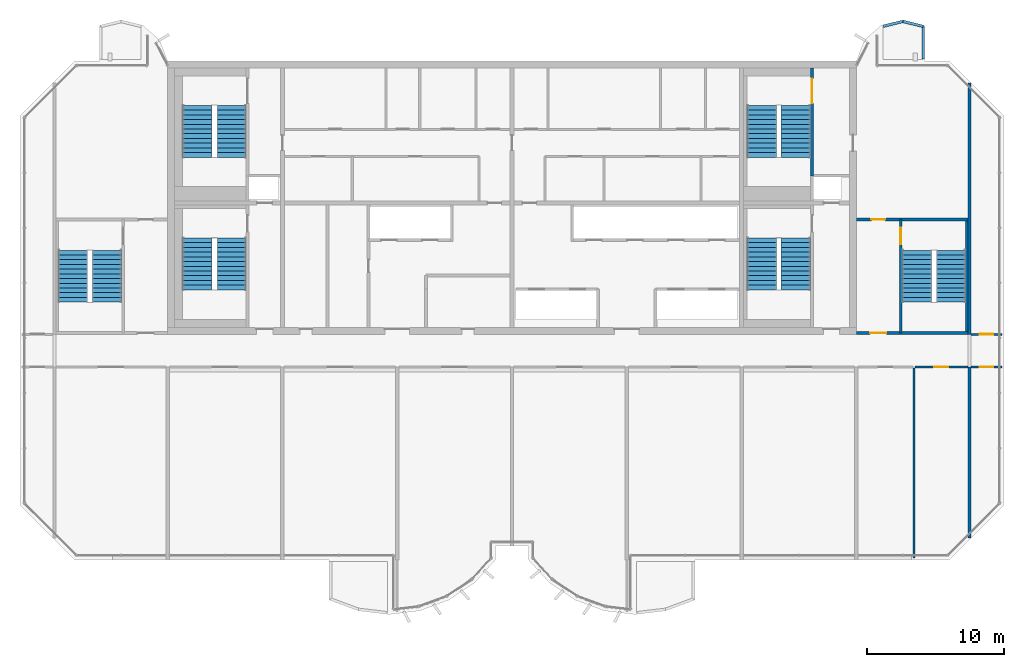
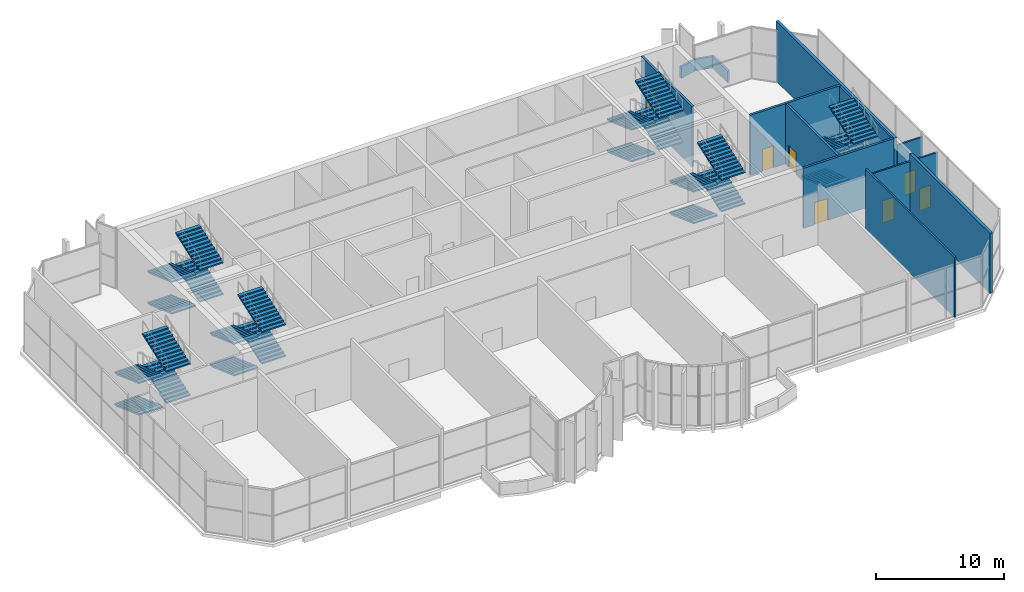
# One storey, part 16 of 17: 24 stair flights, 14 walls, 7 doors, 7 openings, 6 elements without a shape of their own.
"""IFC4 building model written with IfcOpenShell, lengths in metres."""

from ifc_helpers import new_model, si_unit, direction, frame, frame_2d, origin, place, context, subcontext, project, spatial, polyline, rectangle, outline, extrude, source, transform, mapped, material, layer, layer_set, type_object, element, fill, aggregate, save


model = new_model("IFC4")

# Units and contexts
model_context = context("Model", 3, precision=1e-05, world=origin(), true_north=direction((0.0, 1.0)))
body_context = subcontext(model_context, "Body", "Model", "MODEL_VIEW")
ifc_project = project(units=[si_unit("LENGTHUNIT", "METRE"), si_unit("AREAUNIT", "SQUARE_METRE"), si_unit("VOLUMEUNIT", "CUBIC_METRE"), si_unit("PLANEANGLEUNIT", "RADIAN"), si_unit("MASSUNIT", "GRAM", prefix="KILO")], contexts=[model_context])

# Site, building, storey
site_placement = place(None, origin())
site = spatial("IfcSite", under=ifc_project, at=site_placement, CompositionType="ELEMENT")
building_placement = place(site_placement, origin())
building = spatial("IfcBuilding", under=site, at=building_placement, Name="Vanashikhar Sky Hotel", CompositionType="ELEMENT")
storey_placement = place(building_placement, frame((0.0, 0.0, 323.699951171875)))
storey = spatial("IfcBuildingStorey", under=building, at=storey_placement, Name="L77", CompositionType="ELEMENT", Elevation=323.699951171875)

# Walls
ifc_material_1 = material(Name="Concrete M50", Category="concrete")
ifc_layer_1 = layer(ifc_material_1, 0.25)
ifc_layer_set_1 = layer_set([ifc_layer_1], Name="RC shear wall 250 Concrete M50")
wall_type_1 = type_object("IfcWallType", Name="RC shear wall 250 Concrete M50", PredefinedType="SHEAR", material=ifc_layer_set_1)
shared_shape_1 = source(origin(), body_context, "Body", "SweptSolid", [
    extrude(rectangle(XDim=12.5, YDim=0.25, at=frame_2d((6.25, 0.0))), origin(), (0.0, 0.0, 1.0), 5.719970703125),
])
wall_1_placement = place(storey_placement, frame((83.875, 7.10009765625, 0.0), z_axis=(0.0, 0.0, 1.0), x_axis=(0.0, 1.0, 0.0)))
element("IfcWall", 1, at=wall_1_placement, inside=storey, type_object=wall_type_1, Name="CW-L77-XW11-1", PredefinedType="SHEAR", context=body_context, shape_type="MappedRepresentation", body=[
    mapped(shared_shape_1, transform((0.0, 0.0, 0.0), scale=1.0)),
])
shared_shape_2 = source(origin(), body_context, "Body", "SweptSolid", [
    extrude(rectangle(XDim=18.39990234375, YDim=0.25, at=frame_2d((9.199951171875, 0.0))), origin(), (0.0, 0.0, 1.0), 5.719970703125),
])
wall_2_placement = place(storey_placement, frame((83.875, 22.0, 0.0), z_axis=(0.0, 0.0, 1.0), x_axis=(0.0, 1.0, 0.0)))
element("IfcWall", 2, at=wall_2_placement, inside=storey, type_object=wall_type_1, Name="CW-L77-XW11-2", PredefinedType="SHEAR", context=body_context, shape_type="MappedRepresentation", body=[
    mapped(shared_shape_2, transform((0.0, 0.0, 0.0), scale=1.0)),
])
ifc_layer_2 = layer(ifc_material_1, 0.199951171875)
ifc_layer_set_2 = layer_set([ifc_layer_2], Name="Parapet 200")
wall_type_2 = type_object("IfcWallType", Name="Parapet 200", PredefinedType="PARAPET", material=ifc_layer_set_2)
shared_shape_3 = source(origin(), body_context, "Body", "SweptSolid", [
    extrude(rectangle(XDim=2.3896484375, YDim=0.199951171875, at=frame_2d((1.19482421875, 0.0))), origin(), (0.0, 0.0, 1.0), 1.10009765625),
])
wall_3_placement = place(storey_placement, frame((80.486083984375, 44.529541015625, -0.050048828125), z_axis=(0.0, 0.0, 1.0), x_axis=(0.0, -1.0, 0.0)))
element("IfcWall", 3, at=wall_3_placement, inside=storey, type_object=wall_type_2, Name="Roof parapet", PredefinedType="PARAPET", context=body_context, shape_type="MappedRepresentation", body=[
    mapped(shared_shape_3, transform((0.0, 0.0, 0.0), scale=1.0)),
])
shared_shape_4 = source(origin(), body_context, "Body", "SweptSolid", [
    extrude(rectangle(XDim=1.5302734375, YDim=0.199951171875, at=frame_2d((0.76513671875, 0.0))), origin(), (0.0, 0.0, 1.0), 1.10009765625),
])
wall_4_placement = place(storey_placement, frame((79.0, 44.89501953125, -0.050048828125), z_axis=(0.0, 0.0, 1.0), x_axis=(0.971064415522, -0.238817714808, 0.0)))
element("IfcWall", 4, at=wall_4_placement, inside=storey, type_object=wall_type_2, Name="Roof parapet", PredefinedType="PARAPET", context=body_context, shape_type="MappedRepresentation", body=[
    mapped(shared_shape_4, transform((0.0, 0.0, 0.0), scale=1.0)),
])
shared_shape_5 = source(origin(), body_context, "Body", "SweptSolid", [
    extrude(rectangle(XDim=1.4912109375, YDim=0.199951171875, at=frame_2d((0.74560546875, 0.0))), origin(), (0.0, 0.0, 1.0), 1.10009765625),
])
wall_5_placement = place(storey_placement, frame((77.552001953125, 44.5390625, -0.050048828125), z_axis=(0.0, 0.0, 1.0), x_axis=(0.971088495324, 0.238719781855, 0.0)))
element("IfcWall", 5, at=wall_5_placement, inside=storey, type_object=wall_type_2, Name="Roof parapet", PredefinedType="PARAPET", context=body_context, shape_type="MappedRepresentation", body=[
    mapped(shared_shape_5, transform((0.0, 0.0, 0.0), scale=1.0)),
])

# Wall, opening, door
ifc_layer_3 = layer(ifc_material_1, 0.199951171875)
ifc_layer_set_3 = layer_set([ifc_layer_3], Name="Stair wall 200")
wall_type_3 = type_object("IfcWallType", Name="Stair wall 200", PredefinedType="SOLIDWALL", material=ifc_layer_set_3)
shared_shape_6 = source(origin(), body_context, "Body", "SweptSolid", [
    extrude(rectangle(XDim=8.2998046875, YDim=0.199951171875, at=frame_2d((4.14990234375, 0.0))), origin(), (0.0, 0.0, 1.0), 5.719970703125),
])
wall_6_placement = place(storey_placement, frame((78.85009765625, 22.10009765625, 0.0), z_axis=(0.0, 0.0, 1.0), x_axis=(0.0, 1.0, 0.0)))
wall_6 = element("IfcWall", 6, at=wall_6_placement, inside=storey, type_object=wall_type_3, Name="Stair wall 200", PredefinedType="SOLIDWALL", context=body_context, shape_type="MappedRepresentation", body=[
    mapped(shared_shape_6, transform((0.0, 0.0, 0.0), scale=1.0)),
])
shared_shape_7 = source(origin(), body_context, "Body", "SweptSolid", [
    extrude(rectangle(XDim=1.199951171875, YDim=2.10009765625, at=frame_2d((0.60009765625, 1.050048828125))), frame((0.0, 0.10986328125, 0.0), z_axis=(0.0, -1.0, 0.0), x_axis=(1.0, 0.0, 0.0)), (0.0, 0.0, 1.0), 0.219970703125),
])
opening_1_placement = place(wall_6_placement, frame((6.5, 0.0, 0.0)))
opening_1 = element("IfcOpeningElement", 7, at=opening_1_placement, cuts=wall_6, Name="Opening DC-1", PredefinedType="OPENING", context=body_context, shape_type="MappedRepresentation", body=[
    mapped(shared_shape_7, transform((0.0, 0.0, 0.0), scale=1.0)),
])
ifc_material_2 = material(Name="Steel", Category="steel")
door_type_1 = type_object("IfcDoorType", Name="Stair door 1200 FD120", OperationType="NOTDEFINED", PredefinedType="DOOR", material=ifc_material_2)
shared_shape_8 = source(origin(), body_context, "Body", "SweptSolid", [
    extrude(rectangle(XDim=1.199951171875, YDim=2.10009765625, at=frame_2d((0.60009765625, 1.050048828125))), frame((0.0, 0.02490234375, 0.0), z_axis=(0.0, -1.0, 0.0), x_axis=(1.0, 0.0, 0.0)), (0.0, 0.0, 1.0), 0.050048828125),
])
door_1_placement = place(opening_1_placement, origin())
door_1 = element("IfcDoor", 8, at=door_1_placement, inside=storey, type_object=door_type_1, Name="Stair door 1200 FD120", OperationType="SINGLE_SWING_LEFT", OverallHeight=2.10009765625, OverallWidth=1.199951171875, PredefinedType="DOOR", context=body_context, shape_type="MappedRepresentation", body=[
    mapped(shared_shape_8, transform((0.0, 0.0, 0.0), scale=1.0)),
])
fill(opening_1, door_1)

shared_shape_9 = source(origin(), body_context, "Body", "SweptSolid", [
    extrude(rectangle(XDim=7.89990234375, YDim=0.199951171875, at=frame_2d((3.949951171875, 0.0))), origin(), (0.0, 0.0, 1.0), 5.719970703125),
])
wall_7_placement = place(storey_placement, frame((72.35009765625, 33.60009765625, 0.0), z_axis=(0.0, 0.0, 1.0), x_axis=(0.0, 1.0, 0.0)))
wall_7 = element("IfcWall", 9, at=wall_7_placement, inside=storey, type_object=wall_type_3, Name="Stair wall 200", PredefinedType="SOLIDWALL", context=body_context, shape_type="MappedRepresentation", body=[
    mapped(shared_shape_9, transform((0.0, 0.0, 0.0), scale=1.0)),
])
shared_shape_10 = source(origin(), body_context, "Body", "SweptSolid", [
    extrude(rectangle(XDim=1.800048828125, YDim=2.10009765625, at=frame_2d((0.89990234375, 1.050048828125))), frame((0.0, 0.10986328125, 0.0), z_axis=(0.0, -1.0, 0.0), x_axis=(1.0, 0.0, 0.0)), (0.0, 0.0, 1.0), 0.219970703125),
])
opening_2_placement = place(wall_7_placement, frame((5.300048828125, 0.0, 0.0)))
opening_2 = element("IfcOpeningElement", 10, at=opening_2_placement, cuts=wall_7, Name="Opening DC-1-A", PredefinedType="OPENING", context=body_context, shape_type="MappedRepresentation", body=[
    mapped(shared_shape_10, transform((0.0, 0.0, 0.0), scale=1.0)),
])
door_type_2 = type_object("IfcDoorType", Name="Stair door 1800 FD120", OperationType="NOTDEFINED", PredefinedType="DOOR", material=ifc_material_2)
shared_shape_11 = source(origin(), body_context, "Body", "SweptSolid", [
    extrude(rectangle(XDim=1.800048828125, YDim=2.10009765625, at=frame_2d((0.89990234375, 1.050048828125))), frame((0.0, 0.02490234375, 0.0), z_axis=(0.0, -1.0, 0.0), x_axis=(1.0, 0.0, 0.0)), (0.0, 0.0, 1.0), 0.050048828125),
])
door_2_placement = place(opening_2_placement, origin())
door_2 = element("IfcDoor", 11, at=door_2_placement, inside=storey, type_object=door_type_2, Name="Stair door 1800 FD120", OperationType="SINGLE_SWING_RIGHT", OverallHeight=2.10009765625, OverallWidth=1.800048828125, PredefinedType="DOOR", context=body_context, shape_type="MappedRepresentation", body=[
    mapped(shared_shape_11, transform((0.0, 0.0, 0.0), scale=1.0)),
])
fill(opening_2, door_2)

shared_shape_12 = source(origin(), body_context, "Body", "SweptSolid", [
    extrude(rectangle(XDim=8.14990234375, YDim=0.199951171875, at=frame_2d((4.074951171875, 0.0))), origin(), (0.0, 0.0, 1.0), 5.719970703125),
])
wall_8_placement = place(storey_placement, frame((83.75, 22.10009765625, 0.0), z_axis=(0.0, 0.0, 1.0), x_axis=(-1.0, 0.0, 0.0)))
wall_8 = element("IfcWall", 12, at=wall_8_placement, inside=storey, type_object=wall_type_3, Name="Stair wall 200", PredefinedType="SOLIDWALL", context=body_context, shape_type="MappedRepresentation", body=[
    mapped(shared_shape_12, transform((0.0, 0.0, 0.0), scale=1.0)),
])
opening_3_placement = place(wall_8_placement, frame((5.949951171875, 0.0, 0.0)))
opening_3 = element("IfcOpeningElement", 13, at=opening_3_placement, cuts=wall_8, Name="Opening DC-2", PredefinedType="OPENING", context=body_context, shape_type="MappedRepresentation", body=[
    mapped(shared_shape_7, transform((0.0, 0.0, 0.0), scale=1.0)),
])
door_type_3 = type_object("IfcDoorType", Name="Firefighting lobby door 1200 FD120", OperationType="NOTDEFINED", PredefinedType="DOOR", material=ifc_material_2)
door_3_placement = place(opening_3_placement, origin())
door_3 = element("IfcDoor", 14, at=door_3_placement, inside=storey, type_object=door_type_3, Name="Firefighting lobby door 1200 FD120", OperationType="SINGLE_SWING_LEFT", OverallHeight=2.10009765625, OverallWidth=1.199951171875, PredefinedType="DOOR", context=body_context, shape_type="MappedRepresentation", body=[
    mapped(shared_shape_8, transform((0.0, 0.0, 0.0), scale=1.0)),
])
fill(opening_3, door_3)

wall_9_placement = place(storey_placement, frame((83.75, 30.39990234375, 0.0), z_axis=(0.0, 0.0, 1.0), x_axis=(-1.0, 0.0, 0.0)))
wall_9 = element("IfcWall", 15, at=wall_9_placement, inside=storey, type_object=wall_type_3, Name="Stair wall 200", PredefinedType="SOLIDWALL", context=body_context, shape_type="MappedRepresentation", body=[
    mapped(shared_shape_12, transform((0.0, 0.0, 0.0), scale=1.0)),
])
shared_shape_13 = source(origin(), body_context, "Body", "SweptSolid", [
    extrude(rectangle(XDim=1.0, YDim=2.10009765625, at=frame_2d((0.5, 1.050048828125))), frame((0.0, 0.10986328125, 0.0), z_axis=(0.0, -1.0, 0.0), x_axis=(1.0, 0.0, 0.0)), (0.0, 0.0, 1.0), 0.219970703125),
])
opening_4_placement = place(wall_9_placement, frame((6.050048828125, 0.0, 0.0)))
opening_4 = element("IfcOpeningElement", 16, at=opening_4_placement, cuts=wall_9, Name="Opening DC-6", PredefinedType="OPENING", context=body_context, shape_type="MappedRepresentation", body=[
    mapped(shared_shape_13, transform((0.0, 0.0, 0.0), scale=1.0)),
])
door_type_4 = type_object("IfcDoorType", Name="Pocket door 1000 FD60", OperationType="NOTDEFINED", PredefinedType="DOOR", material=ifc_material_2)
shared_shape_14 = source(origin(), body_context, "Body", "SweptSolid", [
    extrude(rectangle(XDim=1.0, YDim=2.10009765625, at=frame_2d((0.5, 1.050048828125))), frame((0.0, 0.02490234375, 0.0), z_axis=(0.0, -1.0, 0.0), x_axis=(1.0, 0.0, 0.0)), (0.0, 0.0, 1.0), 0.050048828125),
])
door_4_placement = place(opening_4_placement, origin())
door_4 = element("IfcDoor", 17, at=door_4_placement, inside=storey, type_object=door_type_4, Name="Pocket door 1000 FD60", OperationType="SINGLE_SWING_LEFT", OverallHeight=2.10009765625, OverallWidth=1.0, PredefinedType="DOOR", context=body_context, shape_type="MappedRepresentation", body=[
    mapped(shared_shape_14, transform((0.0, 0.0, 0.0), scale=1.0)),
])
fill(opening_4, door_4)

# Wall
ifc_layer_4 = layer(ifc_material_1, 0.14990234375)
ifc_layer_set_4 = layer_set([ifc_layer_4], Name="Stair infill wall 150")
wall_type_4 = type_object("IfcWallType", Name="Stair infill wall 150", PredefinedType="SOLIDWALL", material=ifc_layer_set_4)
shared_shape_15 = source(origin(), body_context, "Body", "SweptSolid", [
    extrude(rectangle(XDim=8.10009765625, YDim=0.14990234375, at=frame_2d((4.050048828125, 0.0))), origin(), (0.0, 0.0, 1.0), 5.719970703125),
])
wall_10_placement = place(storey_placement, frame((83.675048828125, 22.199951171875, 0.0), z_axis=(0.0, 0.0, 1.0), x_axis=(0.0, 1.0, 0.0)))
element("IfcWall", 18, at=wall_10_placement, inside=storey, type_object=wall_type_4, Name="Stair infill wall 150", PredefinedType="SOLIDWALL", context=body_context, shape_type="MappedRepresentation", body=[
    mapped(shared_shape_15, transform((0.0, 0.0, 0.0), scale=1.0)),
])

# Wall, opening, door
ifc_material_3 = material(Name="Gypsum plasterboard partition")
ifc_layer_5 = layer(ifc_material_3, 0.14990234375)
ifc_layer_set_5 = layer_set([ifc_layer_5], Name="Corridor and demising partition 150")
wall_type_5 = type_object("IfcWallType", Name="Corridor and demising partition 150", PredefinedType="PARTITIONING", material=ifc_layer_set_5)
shared_shape_16 = source(origin(), body_context, "Body", "SweptSolid", [
    extrude(rectangle(XDim=3.875, YDim=0.14990234375, at=frame_2d((1.9375, 0.0))), origin(), (0.0, 0.0, 1.0), 5.02001953125),
])
wall_11_placement = place(storey_placement, frame((79.875, 19.60009765625, 0.0), z_axis=(0.0, 0.0, 1.0), x_axis=(1.0, 0.0, 0.0)))
wall_11 = element("IfcWall", 19, at=wall_11_placement, inside=storey, type_object=wall_type_5, Name="W-L77-PW009", PredefinedType="PARTITIONING", context=body_context, shape_type="MappedRepresentation", body=[
    mapped(shared_shape_16, transform((0.0, 0.0, 0.0), scale=1.0)),
])
shared_shape_17 = source(origin(), body_context, "Body", "SweptSolid", [
    extrude(rectangle(XDim=1.0, YDim=2.10009765625, at=frame_2d((0.5, 1.050048828125))), frame((0.0, 0.0849609375, 0.0), z_axis=(0.0, -1.0, 0.0), x_axis=(1.0, 0.0, 0.0)), (0.0, 0.0, 1.0), 0.169921875),
])
opening_5_placement = place(wall_11_placement, frame((1.43798828125, 0.0, 0.0)))
opening_5 = element("IfcOpeningElement", 20, at=opening_5_placement, cuts=wall_11, Name="Opening D-01", PredefinedType="OPENING", context=body_context, shape_type="MappedRepresentation", body=[
    mapped(shared_shape_17, transform((0.0, 0.0, 0.0), scale=1.0)),
])
ifc_material_4 = material(Name="Timber fire door", Category="wood")
door_type_5 = type_object("IfcDoorType", Name="Guest entry door 1000 FD30S", OperationType="NOTDEFINED", PredefinedType="DOOR", material=ifc_material_4)
door_5_placement = place(opening_5_placement, origin())
door_5 = element("IfcDoor", 21, at=door_5_placement, inside=storey, type_object=door_type_5, Name="D-L77-009", OperationType="SINGLE_SWING_RIGHT", OverallHeight=2.10009765625, OverallWidth=1.0, PredefinedType="DOOR", context=body_context, shape_type="MappedRepresentation", body=[
    mapped(shared_shape_14, transform((0.0, 0.0, 0.0), scale=1.0)),
])
fill(opening_5, door_5)

# Wall
shared_shape_18 = source(origin(), body_context, "Body", "SweptSolid", [
    extrude(rectangle(XDim=13.875, YDim=0.14990234375, at=frame_2d((6.9375, 0.0))), origin(), (0.0, 0.0, 1.0), 5.719970703125),
])
wall_12_placement = place(storey_placement, frame((79.800048828125, 5.64990234375, 0.0), z_axis=(0.0, 0.0, 1.0), x_axis=(0.0, 1.0, 0.0)))
element("IfcWall", 22, at=wall_12_placement, inside=storey, type_object=wall_type_5, Name="W-L77-PW010", PredefinedType="PARTITIONING", context=body_context, shape_type="MappedRepresentation", body=[
    mapped(shared_shape_18, transform((0.0, 0.0, 0.0), scale=1.0)),
])

# Wall, opening, door
shared_shape_19 = source(origin(), body_context, "Body", "SweptSolid", [
    extrude(rectangle(XDim=2.25, YDim=0.14990234375, at=frame_2d((1.125, 0.0))), origin(), (0.0, 0.0, 1.0), 5.02001953125),
])
wall_13_placement = place(storey_placement, frame((84.0, 22.0, 0.0), z_axis=(0.0, 0.0, 1.0), x_axis=(1.0, 0.0, 0.0)))
wall_13 = element("IfcWall", 23, at=wall_13_placement, inside=storey, type_object=wall_type_5, Name="W-L77-PW014", PredefinedType="PARTITIONING", context=body_context, shape_type="MappedRepresentation", body=[
    mapped(shared_shape_19, transform((0.0, 0.0, 0.0), scale=1.0)),
])
opening_6_placement = place(wall_13_placement, frame((0.625, 0.0, 0.0)))
opening_6 = element("IfcOpeningElement", 24, at=opening_6_placement, cuts=wall_13, Name="Opening D-01", PredefinedType="OPENING", context=body_context, shape_type="MappedRepresentation", body=[
    mapped(shared_shape_17, transform((0.0, 0.0, 0.0), scale=1.0)),
])
door_6_placement = place(opening_6_placement, origin())
door_6 = element("IfcDoor", 25, at=door_6_placement, inside=storey, type_object=door_type_5, Name="D-L77-011", OperationType="SINGLE_SWING_RIGHT", OverallHeight=2.10009765625, OverallWidth=1.0, PredefinedType="DOOR", context=body_context, shape_type="MappedRepresentation", body=[
    mapped(shared_shape_14, transform((0.0, 0.0, 0.0), scale=1.0)),
])
fill(opening_6, door_6)

wall_14_placement = place(storey_placement, frame((84.0, 19.60009765625, 0.0), z_axis=(0.0, 0.0, 1.0), x_axis=(1.0, 0.0, 0.0)))
wall_14 = element("IfcWall", 26, at=wall_14_placement, inside=storey, type_object=wall_type_5, Name="W-L77-PW016", PredefinedType="PARTITIONING", context=body_context, shape_type="MappedRepresentation", body=[
    mapped(shared_shape_19, transform((0.0, 0.0, 0.0), scale=1.0)),
])
opening_7_placement = place(wall_14_placement, frame((0.625, 0.0, 0.0)))
opening_7 = element("IfcOpeningElement", 27, at=opening_7_placement, cuts=wall_14, Name="Opening D-01", PredefinedType="OPENING", context=body_context, shape_type="MappedRepresentation", body=[
    mapped(shared_shape_17, transform((0.0, 0.0, 0.0), scale=1.0)),
])
door_7_placement = place(opening_7_placement, origin())
door_7 = element("IfcDoor", 28, at=door_7_placement, inside=storey, type_object=door_type_5, Name="D-L77-013", OperationType="SINGLE_SWING_RIGHT", OverallHeight=2.10009765625, OverallWidth=1.0, PredefinedType="DOOR", context=body_context, shape_type="MappedRepresentation", body=[
    mapped(shared_shape_14, transform((0.0, 0.0, 0.0), scale=1.0)),
])
fill(opening_7, door_7)

# Stair, stair flights
ifc_material_5 = material(Name="Concrete M40", Category="concrete")
stair_type = type_object("IfcStairType", Name="Exit stair 2150", PredefinedType="DOUBLE_RETURN_STAIR", material=ifc_material_5)
stair_1_placement = place(storey_placement, origin())
stair_1 = element("IfcStair", 29, at=stair_1_placement, inside=storey, type_object=stair_type, Name="L77 Exit stair 1", PredefinedType="DOUBLE_RETURN_STAIR")
stair_flight_type = type_object("IfcStairFlightType", Name="Stair flight 2150", PredefinedType="STRAIGHT", material=ifc_material_5)
shared_shape_20 = source(origin(), body_context, "Body", "SweptSolid", [
    extrude(outline(polyline([(0.0, 0.0), (0.0, 0.125), (0.345458984375, 0.125), (0.345458984375, 0.25), (0.69091796875, 0.25), (0.69091796875, 0.375), (1.036376953125, 0.375), (1.036376953125, 0.5), (1.3818359375, 0.5), (1.3818359375, 0.625), (1.727294921875, 0.625), (1.727294921875, 0.75), (2.07275390625, 0.75), (2.07275390625, 0.875), (2.418212890625, 0.875), (2.418212890625, 1.0), (2.763671875, 1.0), (2.763671875, 1.125), (3.109130859375, 1.125), (3.109130859375, 1.25), (3.45458984375, 1.25), (3.45458984375, 1.375), (3.800048828125, 1.375), (3.800048828125, 1.5), (3.800048828125, 1.247314453125), (0.35302734375, 0.0), (0.0, 0.0)])), frame((0.0, 1.074951171875, 0.0), z_axis=(0.0, -1.0, 0.0), x_axis=(1.0, 0.0, 0.0)), (0.0, 0.0, 1.0), 2.14990234375),
])
stair_flight_1_placement = place(storey_placement, frame((27.375, 29.050048828125, 0.0), z_axis=(0.0, 0.0, 1.0), x_axis=(0.0, -1.0, 0.0)))
stair_flight_1 = element("IfcStairFlight", 30, at=stair_flight_1_placement, type_object=stair_flight_type, Name="ST-C1 flight 1", NumberOfRisers=12, NumberOfTreads=11, PredefinedType="STRAIGHT", RiserHeight=0.125, TreadLength=0.345454545, context=body_context, shape_type="MappedRepresentation", body=[
    mapped(shared_shape_20, transform((0.0, 0.0, 0.0), scale=1.0)),
])
stair_flight_2_placement = place(storey_placement, frame((29.875, 25.25, 1.5), z_axis=(0.0, 0.0, 1.0), x_axis=(0.0, 1.0, 0.0)))
stair_flight_2 = element("IfcStairFlight", 31, at=stair_flight_2_placement, type_object=stair_flight_type, Name="ST-C1 flight 2", NumberOfRisers=12, NumberOfTreads=11, PredefinedType="STRAIGHT", RiserHeight=0.125, TreadLength=0.345454545, context=body_context, shape_type="MappedRepresentation", body=[
    mapped(shared_shape_20, transform((0.0, 0.0, 0.0), scale=1.0)),
])
stair_flight_3_placement = place(storey_placement, frame((27.375, 29.050048828125, 3.0), z_axis=(0.0, 0.0, 1.0), x_axis=(0.0, -1.0, 0.0)))
stair_flight_3 = element("IfcStairFlight", 32, at=stair_flight_3_placement, type_object=stair_flight_type, Name="ST-C1 flight 3", NumberOfRisers=12, NumberOfTreads=11, PredefinedType="STRAIGHT", RiserHeight=0.125, TreadLength=0.345454545, context=body_context, shape_type="MappedRepresentation", body=[
    mapped(shared_shape_20, transform((0.0, 0.0, 0.0), scale=1.0)),
])
stair_flight_4_placement = place(storey_placement, frame((29.875, 25.25, 4.5), z_axis=(0.0, 0.0, 1.0), x_axis=(0.0, 1.0, 0.0)))
stair_flight_4 = element("IfcStairFlight", 33, at=stair_flight_4_placement, type_object=stair_flight_type, Name="ST-C1 flight 4", NumberOfRisers=12, NumberOfTreads=11, PredefinedType="STRAIGHT", RiserHeight=0.125, TreadLength=0.345454545, context=body_context, shape_type="MappedRepresentation", body=[
    mapped(shared_shape_20, transform((0.0, 0.0, 0.0), scale=1.0)),
])
aggregate(stair_1, [stair_flight_1, stair_flight_2, stair_flight_3, stair_flight_4])

stair_2_placement = place(storey_placement, origin())
stair_2 = element("IfcStair", 34, at=stair_2_placement, inside=storey, type_object=stair_type, Name="L77 Exit stair 2", PredefinedType="DOUBLE_RETURN_STAIR")
stair_flight_5_placement = place(storey_placement, frame((68.675048828125, 29.050048828125, 0.0), z_axis=(0.0, 0.0, 1.0), x_axis=(0.0, -1.0, 0.0)))
stair_flight_5 = element("IfcStairFlight", 35, at=stair_flight_5_placement, type_object=stair_flight_type, Name="ST-C2 flight 1", NumberOfRisers=12, NumberOfTreads=11, PredefinedType="STRAIGHT", RiserHeight=0.125, TreadLength=0.345454545, context=body_context, shape_type="MappedRepresentation", body=[
    mapped(shared_shape_20, transform((0.0, 0.0, 0.0), scale=1.0)),
])
stair_flight_6_placement = place(storey_placement, frame((71.175048828125, 25.25, 1.5), z_axis=(0.0, 0.0, 1.0), x_axis=(0.0, 1.0, 0.0)))
stair_flight_6 = element("IfcStairFlight", 36, at=stair_flight_6_placement, type_object=stair_flight_type, Name="ST-C2 flight 2", NumberOfRisers=12, NumberOfTreads=11, PredefinedType="STRAIGHT", RiserHeight=0.125, TreadLength=0.345454545, context=body_context, shape_type="MappedRepresentation", body=[
    mapped(shared_shape_20, transform((0.0, 0.0, 0.0), scale=1.0)),
])
stair_flight_7_placement = place(storey_placement, frame((68.675048828125, 29.050048828125, 3.0), z_axis=(0.0, 0.0, 1.0), x_axis=(0.0, -1.0, 0.0)))
stair_flight_7 = element("IfcStairFlight", 37, at=stair_flight_7_placement, type_object=stair_flight_type, Name="ST-C2 flight 3", NumberOfRisers=12, NumberOfTreads=11, PredefinedType="STRAIGHT", RiserHeight=0.125, TreadLength=0.345454545, context=body_context, shape_type="MappedRepresentation", body=[
    mapped(shared_shape_20, transform((0.0, 0.0, 0.0), scale=1.0)),
])
stair_flight_8_placement = place(storey_placement, frame((71.175048828125, 25.25, 4.5), z_axis=(0.0, 0.0, 1.0), x_axis=(0.0, 1.0, 0.0)))
stair_flight_8 = element("IfcStairFlight", 38, at=stair_flight_8_placement, type_object=stair_flight_type, Name="ST-C2 flight 4", NumberOfRisers=12, NumberOfTreads=11, PredefinedType="STRAIGHT", RiserHeight=0.125, TreadLength=0.345454545, context=body_context, shape_type="MappedRepresentation", body=[
    mapped(shared_shape_20, transform((0.0, 0.0, 0.0), scale=1.0)),
])
aggregate(stair_2, [stair_flight_5, stair_flight_6, stair_flight_7, stair_flight_8])

stair_3_placement = place(storey_placement, origin())
stair_3 = element("IfcStair", 39, at=stair_3_placement, inside=storey, type_object=stair_type, Name="L77 Exit stair 3", PredefinedType="DOUBLE_RETURN_STAIR")
stair_flight_9_placement = place(storey_placement, frame((18.27490234375, 28.14990234375, 0.0), z_axis=(0.0, 0.0, 1.0), x_axis=(0.0, -1.0, 0.0)))
stair_flight_9 = element("IfcStairFlight", 40, at=stair_flight_9_placement, type_object=stair_flight_type, Name="ST-W flight 1", NumberOfRisers=12, NumberOfTreads=11, PredefinedType="STRAIGHT", RiserHeight=0.125, TreadLength=0.345454545, context=body_context, shape_type="MappedRepresentation", body=[
    mapped(shared_shape_20, transform((0.0, 0.0, 0.0), scale=1.0)),
])
stair_flight_10_placement = place(storey_placement, frame((20.77490234375, 24.35009765625, 1.5), z_axis=(0.0, 0.0, 1.0), x_axis=(0.0, 1.0, 0.0)))
stair_flight_10 = element("IfcStairFlight", 41, at=stair_flight_10_placement, type_object=stair_flight_type, Name="ST-W flight 2", NumberOfRisers=12, NumberOfTreads=11, PredefinedType="STRAIGHT", RiserHeight=0.125, TreadLength=0.345454545, context=body_context, shape_type="MappedRepresentation", body=[
    mapped(shared_shape_20, transform((0.0, 0.0, 0.0), scale=1.0)),
])
stair_flight_11_placement = place(storey_placement, frame((18.27490234375, 28.14990234375, 3.0), z_axis=(0.0, 0.0, 1.0), x_axis=(0.0, -1.0, 0.0)))
stair_flight_11 = element("IfcStairFlight", 42, at=stair_flight_11_placement, type_object=stair_flight_type, Name="ST-W flight 3", NumberOfRisers=12, NumberOfTreads=11, PredefinedType="STRAIGHT", RiserHeight=0.125, TreadLength=0.345454545, context=body_context, shape_type="MappedRepresentation", body=[
    mapped(shared_shape_20, transform((0.0, 0.0, 0.0), scale=1.0)),
])
stair_flight_12_placement = place(storey_placement, frame((20.77490234375, 24.35009765625, 4.5), z_axis=(0.0, 0.0, 1.0), x_axis=(0.0, 1.0, 0.0)))
stair_flight_12 = element("IfcStairFlight", 43, at=stair_flight_12_placement, type_object=stair_flight_type, Name="ST-W flight 4", NumberOfRisers=12, NumberOfTreads=11, PredefinedType="STRAIGHT", RiserHeight=0.125, TreadLength=0.345454545, context=body_context, shape_type="MappedRepresentation", body=[
    mapped(shared_shape_20, transform((0.0, 0.0, 0.0), scale=1.0)),
])
aggregate(stair_3, [stair_flight_9, stair_flight_10, stair_flight_11, stair_flight_12])

stair_4_placement = place(storey_placement, origin())
stair_4 = element("IfcStair", 44, at=stair_4_placement, inside=storey, type_object=stair_type, Name="L77 Exit stair 4", PredefinedType="DOUBLE_RETURN_STAIR")
stair_flight_13_placement = place(storey_placement, frame((80.02490234375, 28.14990234375, 0.0), z_axis=(0.0, 0.0, 1.0), x_axis=(0.0, -1.0, 0.0)))
stair_flight_13 = element("IfcStairFlight", 45, at=stair_flight_13_placement, type_object=stair_flight_type, Name="ST-E flight 1", NumberOfRisers=12, NumberOfTreads=11, PredefinedType="STRAIGHT", RiserHeight=0.125, TreadLength=0.345454545, context=body_context, shape_type="MappedRepresentation", body=[
    mapped(shared_shape_20, transform((0.0, 0.0, 0.0), scale=1.0)),
])
stair_flight_14_placement = place(storey_placement, frame((82.52490234375, 24.35009765625, 1.5), z_axis=(0.0, 0.0, 1.0), x_axis=(0.0, 1.0, 0.0)))
stair_flight_14 = element("IfcStairFlight", 46, at=stair_flight_14_placement, type_object=stair_flight_type, Name="ST-E flight 2", NumberOfRisers=12, NumberOfTreads=11, PredefinedType="STRAIGHT", RiserHeight=0.125, TreadLength=0.345454545, context=body_context, shape_type="MappedRepresentation", body=[
    mapped(shared_shape_20, transform((0.0, 0.0, 0.0), scale=1.0)),
])
stair_flight_15_placement = place(storey_placement, frame((80.02490234375, 28.14990234375, 3.0), z_axis=(0.0, 0.0, 1.0), x_axis=(0.0, -1.0, 0.0)))
stair_flight_15 = element("IfcStairFlight", 47, at=stair_flight_15_placement, type_object=stair_flight_type, Name="ST-E flight 3", NumberOfRisers=12, NumberOfTreads=11, PredefinedType="STRAIGHT", RiserHeight=0.125, TreadLength=0.345454545, context=body_context, shape_type="MappedRepresentation", body=[
    mapped(shared_shape_20, transform((0.0, 0.0, 0.0), scale=1.0)),
])
stair_flight_16_placement = place(storey_placement, frame((82.52490234375, 24.35009765625, 4.5), z_axis=(0.0, 0.0, 1.0), x_axis=(0.0, 1.0, 0.0)))
stair_flight_16 = element("IfcStairFlight", 48, at=stair_flight_16_placement, type_object=stair_flight_type, Name="ST-E flight 4", NumberOfRisers=12, NumberOfTreads=11, PredefinedType="STRAIGHT", RiserHeight=0.125, TreadLength=0.345454545, context=body_context, shape_type="MappedRepresentation", body=[
    mapped(shared_shape_20, transform((0.0, 0.0, 0.0), scale=1.0)),
])
aggregate(stair_4, [stair_flight_13, stair_flight_14, stair_flight_15, stair_flight_16])

stair_5_placement = place(storey_placement, origin())
stair_5 = element("IfcStair", 49, at=stair_5_placement, inside=storey, type_object=stair_type, Name="L77 Exit stair 5", PredefinedType="DOUBLE_RETURN_STAIR")
stair_flight_17_placement = place(storey_placement, frame((27.375, 38.75, 0.0), z_axis=(0.0, 0.0, 1.0), x_axis=(0.0, -1.0, 0.0)))
stair_flight_17 = element("IfcStairFlight", 50, at=stair_flight_17_placement, type_object=stair_flight_type, Name="ST-C3 flight 1", NumberOfRisers=12, NumberOfTreads=11, PredefinedType="STRAIGHT", RiserHeight=0.125, TreadLength=0.345454545, context=body_context, shape_type="MappedRepresentation", body=[
    mapped(shared_shape_20, transform((0.0, 0.0, 0.0), scale=1.0)),
])
stair_flight_18_placement = place(storey_placement, frame((29.875, 34.949951171875, 1.5), z_axis=(0.0, 0.0, 1.0), x_axis=(0.0, 1.0, 0.0)))
stair_flight_18 = element("IfcStairFlight", 51, at=stair_flight_18_placement, type_object=stair_flight_type, Name="ST-C3 flight 2", NumberOfRisers=12, NumberOfTreads=11, PredefinedType="STRAIGHT", RiserHeight=0.125, TreadLength=0.345454545, context=body_context, shape_type="MappedRepresentation", body=[
    mapped(shared_shape_20, transform((0.0, 0.0, 0.0), scale=1.0)),
])
stair_flight_19_placement = place(storey_placement, frame((27.375, 38.75, 3.0), z_axis=(0.0, 0.0, 1.0), x_axis=(0.0, -1.0, 0.0)))
stair_flight_19 = element("IfcStairFlight", 52, at=stair_flight_19_placement, type_object=stair_flight_type, Name="ST-C3 flight 3", NumberOfRisers=12, NumberOfTreads=11, PredefinedType="STRAIGHT", RiserHeight=0.125, TreadLength=0.345454545, context=body_context, shape_type="MappedRepresentation", body=[
    mapped(shared_shape_20, transform((0.0, 0.0, 0.0), scale=1.0)),
])
stair_flight_20_placement = place(storey_placement, frame((29.875, 34.949951171875, 4.5), z_axis=(0.0, 0.0, 1.0), x_axis=(0.0, 1.0, 0.0)))
stair_flight_20 = element("IfcStairFlight", 53, at=stair_flight_20_placement, type_object=stair_flight_type, Name="ST-C3 flight 4", NumberOfRisers=12, NumberOfTreads=11, PredefinedType="STRAIGHT", RiserHeight=0.125, TreadLength=0.345454545, context=body_context, shape_type="MappedRepresentation", body=[
    mapped(shared_shape_20, transform((0.0, 0.0, 0.0), scale=1.0)),
])
aggregate(stair_5, [stair_flight_17, stair_flight_18, stair_flight_19, stair_flight_20])

stair_6_placement = place(storey_placement, origin())
stair_6 = element("IfcStair", 54, at=stair_6_placement, inside=storey, type_object=stair_type, Name="L77 Exit stair 6", PredefinedType="DOUBLE_RETURN_STAIR")
stair_flight_21_placement = place(storey_placement, frame((68.675048828125, 38.75, 0.0), z_axis=(0.0, 0.0, 1.0), x_axis=(0.0, -1.0, 0.0)))
stair_flight_21 = element("IfcStairFlight", 55, at=stair_flight_21_placement, type_object=stair_flight_type, Name="ST-C4 flight 1", NumberOfRisers=12, NumberOfTreads=11, PredefinedType="STRAIGHT", RiserHeight=0.125, TreadLength=0.345454545, context=body_context, shape_type="MappedRepresentation", body=[
    mapped(shared_shape_20, transform((0.0, 0.0, 0.0), scale=1.0)),
])
stair_flight_22_placement = place(storey_placement, frame((71.175048828125, 34.949951171875, 1.5), z_axis=(0.0, 0.0, 1.0), x_axis=(0.0, 1.0, 0.0)))
stair_flight_22 = element("IfcStairFlight", 56, at=stair_flight_22_placement, type_object=stair_flight_type, Name="ST-C4 flight 2", NumberOfRisers=12, NumberOfTreads=11, PredefinedType="STRAIGHT", RiserHeight=0.125, TreadLength=0.345454545, context=body_context, shape_type="MappedRepresentation", body=[
    mapped(shared_shape_20, transform((0.0, 0.0, 0.0), scale=1.0)),
])
stair_flight_23_placement = place(storey_placement, frame((68.675048828125, 38.75, 3.0), z_axis=(0.0, 0.0, 1.0), x_axis=(0.0, -1.0, 0.0)))
stair_flight_23 = element("IfcStairFlight", 57, at=stair_flight_23_placement, type_object=stair_flight_type, Name="ST-C4 flight 3", NumberOfRisers=12, NumberOfTreads=11, PredefinedType="STRAIGHT", RiserHeight=0.125, TreadLength=0.345454545, context=body_context, shape_type="MappedRepresentation", body=[
    mapped(shared_shape_20, transform((0.0, 0.0, 0.0), scale=1.0)),
])
stair_flight_24_placement = place(storey_placement, frame((71.175048828125, 34.949951171875, 4.5), z_axis=(0.0, 0.0, 1.0), x_axis=(0.0, 1.0, 0.0)))
stair_flight_24 = element("IfcStairFlight", 58, at=stair_flight_24_placement, type_object=stair_flight_type, Name="ST-C4 flight 4", NumberOfRisers=12, NumberOfTreads=11, PredefinedType="STRAIGHT", RiserHeight=0.125, TreadLength=0.345454545, context=body_context, shape_type="MappedRepresentation", body=[
    mapped(shared_shape_20, transform((0.0, 0.0, 0.0), scale=1.0)),
])
aggregate(stair_6, [stair_flight_21, stair_flight_22, stair_flight_23, stair_flight_24])

save(model, "model.ifc")
